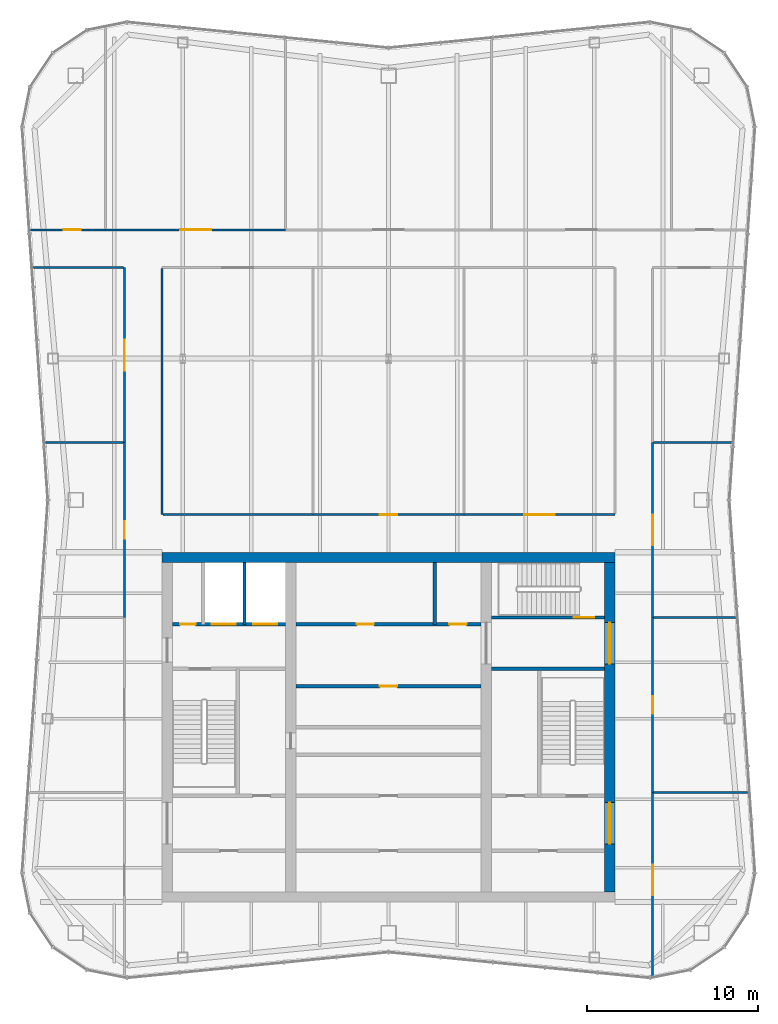
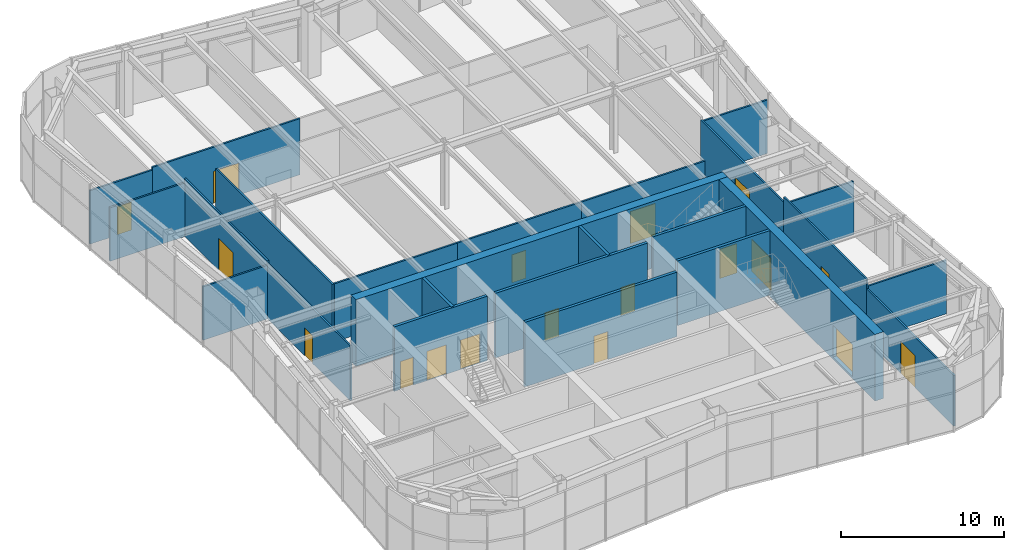
# One storey, part 10 of 13: 25 walls, 18 doors, 18 openings.
"""IFC4 building model written with IfcOpenShell, lengths in metres."""

from ifc_helpers import new_model, si_unit, direction, frame, frame_2d, origin, place, context, subcontext, project, spatial, rectangle, extrude, material, layer, layer_set, type_object, element, fill, save


model = new_model("IFC4")

# Units and contexts
model_context = context("Model", 3, precision=1e-05, world=origin(), true_north=direction((0.0, 1.0)))
body_context = subcontext(model_context, "Body", "Model", "MODEL_VIEW")
ifc_project = project(units=[si_unit("LENGTHUNIT", "METRE"), si_unit("AREAUNIT", "SQUARE_METRE"), si_unit("VOLUMEUNIT", "CUBIC_METRE"), si_unit("PLANEANGLEUNIT", "RADIAN"), si_unit("MASSUNIT", "GRAM", prefix="KILO")], contexts=[model_context])

# Site, building, storey
site_placement = place(None, origin())
site = spatial("IfcSite", under=ifc_project, at=site_placement, CompositionType="ELEMENT")
building_placement = place(site_placement, origin())
building = spatial("IfcBuilding", under=site, at=building_placement, Name="Verdant Reach Tower", CompositionType="ELEMENT")
storey_placement = place(building_placement, frame((0.0, 0.0, 349.5)))
storey = spatial("IfcBuildingStorey", under=building, at=storey_placement, Name="L79 Plant", CompositionType="ELEMENT", Elevation=349.5)

# Wall, opening, door
ifc_material_1 = material(Name="Gypsum board on steel studs", Category="steel")
ifc_layer_1 = layer(ifc_material_1, 0.199951171875)
ifc_layer_set_1 = layer_set([ifc_layer_1], Name="CO-WALL-ROOM")
wall_type_1 = type_object("IfcWallType", Name="CO-WALL-ROOM", PredefinedType="PARTITIONING", material=ifc_layer_set_1)
wall_1_placement = place(storey_placement, frame((-5.39990234375, 30.39990234375, 0.0), z_axis=(0.0, 0.0, 1.0), x_axis=(1.0, 0.0, 0.0)))
wall_1 = element("IfcWall", 1, at=wall_1_placement, inside=storey, type_object=wall_type_1, Name="Core partition, L79 Plant", PredefinedType="PARTITIONING", context=body_context, shape_type="SweptSolid", body=[
    extrude(rectangle(XDim=10.7998046875, YDim=0.199951171875, at=frame_2d((5.39990234375, 0.0))), origin(), (0.0, 0.0, 1.0), 4.85009765625),
])
opening_1_placement = place(wall_1_placement, frame((4.89990234375, 0.0, 0.0)))
opening_1 = element("IfcOpeningElement", 2, at=opening_1_placement, cuts=wall_1, Name="Opening CD", PredefinedType="OPENING", context=body_context, shape_type="SweptSolid", body=[
    extrude(rectangle(XDim=1.0, YDim=2.10009765625, at=frame_2d((0.5, 1.050048828125))), frame((0.0, 0.10986328125, 0.0), z_axis=(0.0, -1.0, 0.0), x_axis=(1.0, 0.0, 0.0)), (0.0, 0.0, 1.0), 0.219970703125),
])
ifc_material_2 = material(Name="Timber", Category="wood")
door_type_1 = type_object("IfcDoorType", Name="CO-DOOR-ROOM", OperationType="NOTDEFINED", PredefinedType="DOOR", material=ifc_material_2)
door_1_placement = place(opening_1_placement, origin())
door_1 = element("IfcDoor", 3, at=door_1_placement, inside=storey, type_object=door_type_1, Name="Core room door, L79 Plant", OperationType="SINGLE_SWING_LEFT", OverallHeight=2.10009765625, OverallWidth=1.0, PredefinedType="DOOR", context=body_context, shape_type="SweptSolid", body=[
    extrude(rectangle(XDim=1.0, YDim=2.10009765625, at=frame_2d((0.5, 1.050048828125))), frame((0.0, 0.02490234375, 0.0), z_axis=(0.0, -1.0, 0.0), x_axis=(1.0, 0.0, 0.0)), (0.0, 0.0, 1.0), 0.050048828125),
])
fill(opening_1, door_1)

# Wall, openings, doors
wall_2_placement = place(storey_placement, frame((-5.39990234375, 34.0, 0.0), z_axis=(0.0, 0.0, 1.0), x_axis=(1.0, 0.0, 0.0)))
wall_2 = element("IfcWall", 4, at=wall_2_placement, inside=storey, type_object=wall_type_1, Name="Core partition, L79 Plant", PredefinedType="PARTITIONING", context=body_context, shape_type="SweptSolid", body=[
    extrude(rectangle(XDim=10.7998046875, YDim=0.199951171875, at=frame_2d((5.39990234375, 0.0))), origin(), (0.0, 0.0, 1.0), 4.85009765625),
])
opening_2_placement = place(wall_2_placement, frame((3.550048828125, 0.0, 0.0)))
opening_2 = element("IfcOpeningElement", 5, at=opening_2_placement, cuts=wall_2, Name="Opening CD", PredefinedType="OPENING", context=body_context, shape_type="SweptSolid", body=[
    extrude(rectangle(XDim=1.0, YDim=2.10009765625, at=frame_2d((0.5, 1.050048828125))), frame((0.0, 0.10986328125, 0.0), z_axis=(0.0, -1.0, 0.0), x_axis=(1.0, 0.0, 0.0)), (0.0, 0.0, 1.0), 0.219970703125),
])
opening_3_placement = place(wall_2_placement, frame((8.949951171875, 0.0, 0.0)))
opening_3 = element("IfcOpeningElement", 6, at=opening_3_placement, cuts=wall_2, Name="Opening CD", PredefinedType="OPENING", context=body_context, shape_type="SweptSolid", body=[
    extrude(rectangle(XDim=1.0, YDim=2.10009765625, at=frame_2d((0.5, 1.050048828125))), frame((0.0, 0.10986328125, 0.0), z_axis=(0.0, -1.0, 0.0), x_axis=(1.0, 0.0, 0.0)), (0.0, 0.0, 1.0), 0.219970703125),
])
door_2_placement = place(opening_2_placement, origin())
door_2 = element("IfcDoor", 7, at=door_2_placement, inside=storey, type_object=door_type_1, Name="Core room door, L79 Plant", OperationType="SINGLE_SWING_LEFT", OverallHeight=2.10009765625, OverallWidth=1.0, PredefinedType="DOOR", context=body_context, shape_type="SweptSolid", body=[
    extrude(rectangle(XDim=1.0, YDim=2.10009765625, at=frame_2d((0.5, 1.050048828125))), frame((0.0, 0.02490234375, 0.0), z_axis=(0.0, -1.0, 0.0), x_axis=(1.0, 0.0, 0.0)), (0.0, 0.0, 1.0), 0.050048828125),
])
fill(opening_2, door_2)
door_3_placement = place(opening_3_placement, origin())
door_3 = element("IfcDoor", 8, at=door_3_placement, inside=storey, type_object=door_type_1, Name="Core room door, L79 Plant", OperationType="SINGLE_SWING_LEFT", OverallHeight=2.10009765625, OverallWidth=1.0, PredefinedType="DOOR", context=body_context, shape_type="SweptSolid", body=[
    extrude(rectangle(XDim=1.0, YDim=2.10009765625, at=frame_2d((0.5, 1.050048828125))), frame((0.0, 0.02490234375, 0.0), z_axis=(0.0, -1.0, 0.0), x_axis=(1.0, 0.0, 0.0)), (0.0, 0.0, 1.0), 0.050048828125),
])
fill(opening_3, door_3)

# Wall
wall_3_placement = place(storey_placement, frame((2.699951171875, 34.0, 0.0), z_axis=(0.0, 0.0, 1.0), x_axis=(0.0, 1.0, 0.0)))
element("IfcWall", 9, at=wall_3_placement, inside=storey, type_object=wall_type_1, Name="Core partition, L79 Plant", PredefinedType="PARTITIONING", context=body_context, shape_type="SweptSolid", body=[
    extrude(rectangle(XDim=3.60009765625, YDim=0.199951171875, at=frame_2d((1.800048828125, 0.0))), origin(), (0.0, 0.0, 1.0), 4.85009765625),
])

# Wall, openings, doors
ifc_material_3 = material(Name="Concrete C40/50", Category="concrete")
ifc_layer_2 = layer(ifc_material_3, 0.199951171875)
ifc_layer_set_2 = layer_set([ifc_layer_2], Name="CO-WALL-SHAFT")
wall_type_2 = type_object("IfcWallType", Name="CO-WALL-SHAFT", PredefinedType="PARTITIONING", material=ifc_layer_set_2)
wall_4_placement = place(storey_placement, frame((-12.60009765625, 34.0, 0.0), z_axis=(0.0, 0.0, 1.0), x_axis=(1.0, 0.0, 0.0)))
wall_4 = element("IfcWall", 10, at=wall_4_placement, inside=storey, type_object=wall_type_2, Name="Lift shaft wall, L79 Plant", PredefinedType="PARTITIONING", context=body_context, shape_type="SweptSolid", body=[
    extrude(rectangle(XDim=6.60009765625, YDim=0.199951171875, at=frame_2d((3.300048828125, 0.0))), origin(), (0.0, 0.0, 1.0), 4.85009765625),
])
opening_4_placement = place(wall_4_placement, frame((4.699951171875, 0.0, 0.0)))
opening_4 = element("IfcOpeningElement", 11, at=opening_4_placement, cuts=wall_4, Name="Opening LD-F1", PredefinedType="OPENING", context=body_context, shape_type="SweptSolid", body=[
    extrude(rectangle(XDim=1.39990234375, YDim=2.199951171875, at=frame_2d((0.699951171875, 1.10009765625))), frame((0.0, 0.10986328125, 0.0), z_axis=(0.0, -1.0, 0.0), x_axis=(1.0, 0.0, 0.0)), (0.0, 0.0, 1.0), 0.219970703125),
])
opening_5_placement = place(wall_4_placement, frame((2.300048828125, 0.0, 0.0)))
opening_5 = element("IfcOpeningElement", 12, at=opening_5_placement, cuts=wall_4, Name="Opening LD-F2", PredefinedType="OPENING", context=body_context, shape_type="SweptSolid", body=[
    extrude(rectangle(XDim=1.39990234375, YDim=2.199951171875, at=frame_2d((0.699951171875, 1.10009765625))), frame((0.0, 0.10986328125, 0.0), z_axis=(0.0, -1.0, 0.0), x_axis=(1.0, 0.0, 0.0)), (0.0, 0.0, 1.0), 0.219970703125),
])
opening_6_placement = place(wall_4_placement, frame((0.449951171875, 0.0, 0.0)))
opening_6 = element("IfcOpeningElement", 13, at=opening_6_placement, cuts=wall_4, Name="Opening RD", PredefinedType="OPENING", context=body_context, shape_type="SweptSolid", body=[
    extrude(rectangle(XDim=0.89990234375, YDim=2.10009765625, at=frame_2d((0.449951171875, 1.050048828125))), frame((0.0, 0.10986328125, 0.0), z_axis=(0.0, -1.0, 0.0), x_axis=(1.0, 0.0, 0.0)), (0.0, 0.0, 1.0), 0.219970703125),
])
ifc_material_4 = material(Name="Stainless steel", Category="steel")
door_type_2 = type_object("IfcDoorType", Name="CO-DOOR-LANDING-FF", OperationType="SLIDING_TO_LEFT", PredefinedType="DOOR", material=ifc_material_4)
door_4_placement = place(opening_4_placement, origin())
door_4 = element("IfcDoor", 14, at=door_4_placement, inside=storey, type_object=door_type_2, Name="Landing door F1, L79 Plant", OperationType="SLIDING_TO_LEFT", OverallHeight=2.199951171875, OverallWidth=1.39990234375, PredefinedType="DOOR", context=body_context, shape_type="SweptSolid", body=[
    extrude(rectangle(XDim=1.39990234375, YDim=2.199951171875, at=frame_2d((0.699951171875, 1.10009765625))), frame((0.0, 0.02490234375, 0.0), z_axis=(0.0, -1.0, 0.0), x_axis=(1.0, 0.0, 0.0)), (0.0, 0.0, 1.0), 0.050048828125),
])
fill(opening_4, door_4)
door_5_placement = place(opening_5_placement, origin())
door_5 = element("IfcDoor", 15, at=door_5_placement, inside=storey, type_object=door_type_2, Name="Landing door F2, L79 Plant", OperationType="SLIDING_TO_LEFT", OverallHeight=2.199951171875, OverallWidth=1.39990234375, PredefinedType="DOOR", context=body_context, shape_type="SweptSolid", body=[
    extrude(rectangle(XDim=1.39990234375, YDim=2.199951171875, at=frame_2d((0.699951171875, 1.10009765625))), frame((0.0, 0.02490234375, 0.0), z_axis=(0.0, -1.0, 0.0), x_axis=(1.0, 0.0, 0.0)), (0.0, 0.0, 1.0), 0.050048828125),
])
fill(opening_5, door_5)
ifc_material_5 = material(Name="Steel", Category="steel")
door_type_3 = type_object("IfcDoorType", Name="CO-DOOR-RISER", OperationType="NOTDEFINED", PredefinedType="DOOR", material=ifc_material_5)
door_6_placement = place(opening_6_placement, origin())
door_6 = element("IfcDoor", 16, at=door_6_placement, inside=storey, type_object=door_type_3, Name="Core room door, L79 Plant", OperationType="SINGLE_SWING_LEFT", OverallHeight=2.10009765625, OverallWidth=0.89990234375, PredefinedType="DOOR", context=body_context, shape_type="SweptSolid", body=[
    extrude(rectangle(XDim=0.89990234375, YDim=2.10009765625, at=frame_2d((0.449951171875, 1.050048828125))), frame((0.0, 0.02490234375, 0.0), z_axis=(0.0, -1.0, 0.0), x_axis=(1.0, 0.0, 0.0)), (0.0, 0.0, 1.0), 0.050048828125),
])
fill(opening_6, door_6)

# Walls
wall_5_placement = place(storey_placement, frame((-8.39990234375, 34.0, 0.0), z_axis=(0.0, 0.0, 1.0), x_axis=(0.0, 1.0, 0.0)))
element("IfcWall", 17, at=wall_5_placement, inside=storey, type_object=wall_type_2, Name="Lift shaft wall, L79 Plant", PredefinedType="PARTITIONING", context=body_context, shape_type="SweptSolid", body=[
    extrude(rectangle(XDim=3.60009765625, YDim=0.199951171875, at=frame_2d((1.800048828125, 0.0))), origin(), (0.0, 0.0, 1.0), 4.85009765625),
])
ifc_layer_3 = layer(ifc_material_3, 0.199951171875)
ifc_layer_set_3 = layer_set([ifc_layer_3], Name="CO-WALL-STAIR")
wall_type_3 = type_object("IfcWallType", Name="CO-WALL-STAIR", PredefinedType="PARTITIONING", material=ifc_layer_set_3)
wall_6_placement = place(storey_placement, frame((6.0, 31.39990234375, 0.0), z_axis=(0.0, 0.0, 1.0), x_axis=(1.0, 0.0, 0.0)))
element("IfcWall", 18, at=wall_6_placement, inside=storey, type_object=wall_type_3, Name="Stair enclosure wall, L79 Plant", PredefinedType="PARTITIONING", context=body_context, shape_type="SweptSolid", body=[
    extrude(rectangle(XDim=6.60009765625, YDim=0.199951171875, at=frame_2d((3.300048828125, 0.0))), origin(), (0.0, 0.0, 1.0), 4.85009765625),
])

# Wall, opening, door
wall_7_placement = place(storey_placement, frame((6.0, 34.39990234375, 0.0), z_axis=(0.0, 0.0, 1.0), x_axis=(1.0, 0.0, 0.0)))
wall_7 = element("IfcWall", 19, at=wall_7_placement, inside=storey, type_object=wall_type_3, Name="Stair enclosure wall, L79 Plant", PredefinedType="PARTITIONING", context=body_context, shape_type="SweptSolid", body=[
    extrude(rectangle(XDim=6.60009765625, YDim=0.199951171875, at=frame_2d((3.300048828125, 0.0))), origin(), (0.0, 0.0, 1.0), 4.85009765625),
])
opening_7_placement = place(wall_7_placement, frame((4.800048828125, 0.0, 0.0)))
opening_7 = element("IfcOpeningElement", 20, at=opening_7_placement, cuts=wall_7, Name="Opening SD", PredefinedType="OPENING", context=body_context, shape_type="SweptSolid", body=[
    extrude(rectangle(XDim=1.199951171875, YDim=2.199951171875, at=frame_2d((0.60009765625, 1.10009765625))), frame((0.0, 0.10986328125, 0.0), z_axis=(0.0, -1.0, 0.0), x_axis=(1.0, 0.0, 0.0)), (0.0, 0.0, 1.0), 0.219970703125),
])
door_type_4 = type_object("IfcDoorType", Name="CO-DOOR-STAIR", OperationType="NOTDEFINED", PredefinedType="DOOR", material=ifc_material_5)
door_7_placement = place(opening_7_placement, origin())
door_7 = element("IfcDoor", 21, at=door_7_placement, inside=storey, type_object=door_type_4, Name="Stair door, L79 Plant", OperationType="SINGLE_SWING_LEFT", OverallHeight=2.199951171875, OverallWidth=1.199951171875, PredefinedType="DOOR", context=body_context, shape_type="SweptSolid", body=[
    extrude(rectangle(XDim=1.199951171875, YDim=2.199951171875, at=frame_2d((0.60009765625, 1.10009765625))), frame((0.0, 0.02490234375, 0.0), z_axis=(0.0, -1.0, 0.0), x_axis=(1.0, 0.0, 0.0)), (0.0, 0.0, 1.0), 0.050048828125),
])
fill(opening_7, door_7)

# Wall
ifc_material_6 = material(Name="Concrete C70/85", Category="concrete")
ifc_layer_4 = layer(ifc_material_6, 0.60009765625)
ifc_layer_set_4 = layer_set([ifc_layer_4], Name="ST-CORE-WALL-600")
wall_type_4 = type_object("IfcWallType", Name="ST-CORE-WALL-600", PredefinedType="SHEAR", material=ifc_layer_set_4)
wall_8_placement = place(storey_placement, frame((-13.199951171875, 37.89990234375, -0.14990234375), z_axis=(0.0, 0.0, 1.0), x_axis=(1.0, 0.0, 0.0)))
element("IfcWall", 22, at=wall_8_placement, inside=storey, type_object=wall_type_4, Name="Core wall N, L79 Plant", PredefinedType="SHEAR", context=body_context, shape_type="SweptSolid", body=[
    extrude(rectangle(XDim=26.39990234375, YDim=0.60009765625, at=frame_2d((13.199951171875, 0.0))), origin(), (0.0, 0.0, 1.0), 5.0),
])

# Wall, openings, doors
wall_9_placement = place(storey_placement, frame((12.89990234375, 18.39990234375, -0.14990234375), z_axis=(0.0, 0.0, 1.0), x_axis=(0.0, 1.0, 0.0)))
wall_9 = element("IfcWall", 23, at=wall_9_placement, inside=storey, type_object=wall_type_4, Name="Core wall E, L79 Plant", PredefinedType="SHEAR", context=body_context, shape_type="SweptSolid", body=[
    extrude(rectangle(XDim=19.2001953125, YDim=0.60009765625, at=frame_2d((9.60009765625, 0.0))), origin(), (0.0, 0.0, 1.0), 5.0),
])
opening_8_placement = place(wall_9_placement, frame((2.800048828125, 0.0, 0.14990234375)))
opening_8 = element("IfcOpeningElement", 24, at=opening_8_placement, cuts=wall_9, Name="Opening LB", PredefinedType="OPENING", context=body_context, shape_type="SweptSolid", body=[
    extrude(rectangle(XDim=2.39990234375, YDim=2.39990234375, at=frame_2d((1.199951171875, 1.199951171875))), frame((0.0, 0.31005859375, 0.0), z_axis=(0.0, -1.0, 0.0), x_axis=(1.0, 0.0, 0.0)), (0.0, 0.0, 1.0), 0.6201171875),
])
opening_9_placement = place(wall_9_placement, frame((13.300048828125, 0.0, 0.14990234375)))
opening_9 = element("IfcOpeningElement", 25, at=opening_9_placement, cuts=wall_9, Name="Opening LB", PredefinedType="OPENING", context=body_context, shape_type="SweptSolid", body=[
    extrude(rectangle(XDim=2.39990234375, YDim=2.39990234375, at=frame_2d((1.199951171875, 1.199951171875))), frame((0.0, 0.31005859375, 0.0), z_axis=(0.0, -1.0, 0.0), x_axis=(1.0, 0.0, 0.0)), (0.0, 0.0, 1.0), 0.6201171875),
])
ifc_material_7 = material(Name="Glass and steel", Category="steel")
door_type_5 = type_object("IfcDoorType", Name="CO-DOOR-LOBBY", OperationType="DOUBLE_DOOR_SINGLE_SWING", PredefinedType="DOOR", material=ifc_material_7)
door_8_placement = place(opening_8_placement, origin())
door_8 = element("IfcDoor", 26, at=door_8_placement, inside=storey, type_object=door_type_5, Name="Core entrance door, L79 Plant", OperationType="DOUBLE_DOOR_SINGLE_SWING", OverallHeight=2.39990234375, OverallWidth=2.39990234375, PredefinedType="DOOR", context=body_context, shape_type="SweptSolid", body=[
    extrude(rectangle(XDim=2.39990234375, YDim=2.39990234375, at=frame_2d((1.199951171875, 1.199951171875))), frame((0.0, 0.02490234375, 0.0), z_axis=(0.0, -1.0, 0.0), x_axis=(1.0, 0.0, 0.0)), (0.0, 0.0, 1.0), 0.050048828125),
])
fill(opening_8, door_8)
door_9_placement = place(opening_9_placement, origin())
door_9 = element("IfcDoor", 27, at=door_9_placement, inside=storey, type_object=door_type_5, Name="Core entrance door, L79 Plant", OperationType="DOUBLE_DOOR_SINGLE_SWING", OverallHeight=2.39990234375, OverallWidth=2.39990234375, PredefinedType="DOOR", context=body_context, shape_type="SweptSolid", body=[
    extrude(rectangle(XDim=2.39990234375, YDim=2.39990234375, at=frame_2d((1.199951171875, 1.199951171875))), frame((0.0, 0.02490234375, 0.0), z_axis=(0.0, -1.0, 0.0), x_axis=(1.0, 0.0, 0.0)), (0.0, 0.0, 1.0), 0.050048828125),
])
fill(opening_9, door_9)

# Walls
ifc_material_8 = material(Name="Gypsum board on steel studs, fire rated", Category="steel")
ifc_layer_5 = layer(ifc_material_8, 0.125)
ifc_layer_set_5 = layer_set([ifc_layer_5], Name="SV-W2 Plant wall 125 EI 60")
wall_type_5 = type_object("IfcWallType", Name="SV-W2 Plant wall 125 EI 60", PredefinedType="PARTITIONING", material=ifc_layer_set_5)
wall_10_placement = place(storey_placement, frame((-13.199951171875, 54.737548828125, 0.0), z_axis=(0.0, 0.0, 1.0), x_axis=(0.0, -1.0, 0.0)))
element("IfcWall", 28, at=wall_10_placement, inside=storey, type_object=wall_type_5, Name="Partition L79.02", PredefinedType="PARTITIONING", context=body_context, shape_type="SweptSolid", body=[
    extrude(rectangle(XDim=14.337646484375, YDim=0.125, at=frame_2d((7.1689453125, 0.0))), origin(), (0.0, 0.0, 1.0), 4.330078125),
])
wall_11_placement = place(storey_placement, frame((-13.137451171875, 40.39990234375, 0.0), z_axis=(0.0, 0.0, 1.0), x_axis=(1.0, 0.0, 0.0)))
element("IfcWall", 29, at=wall_11_placement, inside=storey, type_object=wall_type_5, Name="Partition L79.03", PredefinedType="PARTITIONING", context=body_context, shape_type="SweptSolid", body=[
    extrude(rectangle(XDim=8.737548828125, YDim=0.125, at=frame_2d((4.36865234375, 0.0))), origin(), (0.0, 0.0, 1.0), 4.3701171875),
])

# Wall, opening, door
wall_12_placement = place(storey_placement, frame((4.39990234375, 40.39990234375, 0.0), z_axis=(0.0, 0.0, 1.0), x_axis=(-1.0, 0.0, 0.0)))
wall_12 = element("IfcWall", 30, at=wall_12_placement, inside=storey, type_object=wall_type_5, Name="Partition L79.04", PredefinedType="PARTITIONING", context=body_context, shape_type="SweptSolid", body=[
    extrude(rectangle(XDim=8.7998046875, YDim=0.125, at=frame_2d((4.39990234375, 0.0))), origin(), (0.0, 0.0, 1.0), 4.3701171875),
])
opening_10_placement = place(wall_12_placement, frame((3.89990234375, 0.0, 0.0)))
opening_10 = element("IfcOpeningElement", 31, at=opening_10_placement, cuts=wall_12, Name="Opening SD4", PredefinedType="OPENING", context=body_context, shape_type="SweptSolid", body=[
    extrude(rectangle(XDim=1.0, YDim=2.10009765625, at=frame_2d((0.5, 1.050048828125))), frame((0.0, 0.072509765625, 0.0), z_axis=(0.0, -1.0, 0.0), x_axis=(1.0, 0.0, 0.0)), (0.0, 0.0, 1.0), 0.14501953125),
])
ifc_material_9 = material(Name="Steel door leaf, fire rated", Category="steel")
door_type_6 = type_object("IfcDoorType", Name="SV-D4 Door 1000x2100 FD120", OperationType="NOTDEFINED", PredefinedType="DOOR", material=ifc_material_9)
door_10_placement = place(opening_10_placement, origin())
door_10 = element("IfcDoor", 32, at=door_10_placement, inside=storey, type_object=door_type_6, Name="Door L79-002", OperationType="SINGLE_SWING_RIGHT", OverallHeight=2.10009765625, OverallWidth=1.0, PredefinedType="DOOR", context=body_context, shape_type="SweptSolid", body=[
    extrude(rectangle(XDim=1.0, YDim=2.10009765625, at=frame_2d((0.5, 1.050048828125))), frame((0.0, 0.02490234375, 0.0), z_axis=(0.0, -1.0, 0.0), x_axis=(1.0, 0.0, 0.0)), (0.0, 0.0, 1.0), 0.050048828125),
])
fill(opening_10, door_10)

wall_13_placement = place(storey_placement, frame((13.199951171875, 40.39990234375, 0.0), z_axis=(0.0, 0.0, 1.0), x_axis=(-1.0, 0.0, 0.0)))
wall_13 = element("IfcWall", 33, at=wall_13_placement, inside=storey, type_object=wall_type_5, Name="Partition L79.06", PredefinedType="PARTITIONING", context=body_context, shape_type="SweptSolid", body=[
    extrude(rectangle(XDim=8.800048828125, YDim=0.125, at=frame_2d((4.39990234375, 0.0))), origin(), (0.0, 0.0, 1.0), 4.3701171875),
])
opening_11_placement = place(wall_13_placement, frame((3.5, 0.0, 0.0)))
opening_11 = element("IfcOpeningElement", 34, at=opening_11_placement, cuts=wall_13, Name="Opening SD3", PredefinedType="OPENING", context=body_context, shape_type="SweptSolid", body=[
    extrude(rectangle(XDim=1.800048828125, YDim=2.39990234375, at=frame_2d((0.89990234375, 1.199951171875))), frame((0.0, 0.072509765625, 0.0), z_axis=(0.0, -1.0, 0.0), x_axis=(1.0, 0.0, 0.0)), (0.0, 0.0, 1.0), 0.14501953125),
])
ifc_material_10 = material(Name="Steel door leaves, fire rated", Category="steel")
door_type_7 = type_object("IfcDoorType", Name="SV-D3 Equipment door 1800x2400 FD60", OperationType="DOUBLE_DOOR_SINGLE_SWING", PredefinedType="DOOR", material=ifc_material_10)
door_11_placement = place(opening_11_placement, origin())
door_11 = element("IfcDoor", 35, at=door_11_placement, inside=storey, type_object=door_type_7, Name="Door L79-003", OperationType="DOUBLE_DOOR_SINGLE_SWING", OverallHeight=2.39990234375, OverallWidth=1.800048828125, PredefinedType="DOOR", context=body_context, shape_type="SweptSolid", body=[
    extrude(rectangle(XDim=1.800048828125, YDim=2.39990234375, at=frame_2d((0.89990234375, 1.199951171875))), frame((0.0, 0.02490234375, 0.0), z_axis=(0.0, -1.0, 0.0), x_axis=(1.0, 0.0, 0.0)), (0.0, 0.0, 1.0), 0.050048828125),
])
fill(opening_11, door_11)

wall_14_placement = place(storey_placement, frame((-15.39990234375, 44.60009765625, 0.0), z_axis=(0.0, 0.0, 1.0), x_axis=(0.0, -1.0, 0.0)))
wall_14 = element("IfcWall", 36, at=wall_14_placement, inside=storey, type_object=wall_type_5, Name="Partition L79.11", PredefinedType="PARTITIONING", context=body_context, shape_type="SweptSolid", body=[
    extrude(rectangle(XDim=10.2001953125, YDim=0.125, at=frame_2d((5.10009765625, 0.0))), origin(), (0.0, 0.0, 1.0), 4.1201171875),
])
opening_12_placement = place(wall_14_placement, frame((4.60009765625, 0.0, 0.0)))
opening_12 = element("IfcOpeningElement", 37, at=opening_12_placement, cuts=wall_14, Name="Opening SD4", PredefinedType="OPENING", context=body_context, shape_type="SweptSolid", body=[
    extrude(rectangle(XDim=1.0, YDim=2.10009765625, at=frame_2d((0.5, 1.050048828125))), frame((0.0, 0.072509765625, 0.0), z_axis=(0.0, -1.0, 0.0), x_axis=(1.0, 0.0, 0.0)), (0.0, 0.0, 1.0), 0.14501953125),
])
door_12_placement = place(opening_12_placement, origin())
door_12 = element("IfcDoor", 38, at=door_12_placement, inside=storey, type_object=door_type_6, Name="Door L79-006", OperationType="SINGLE_SWING_RIGHT", OverallHeight=2.10009765625, OverallWidth=1.0, PredefinedType="DOOR", context=body_context, shape_type="SweptSolid", body=[
    extrude(rectangle(XDim=1.0, YDim=2.10009765625, at=frame_2d((0.5, 1.050048828125))), frame((0.0, 0.02490234375, 0.0), z_axis=(0.0, -1.0, 0.0), x_axis=(1.0, 0.0, 0.0)), (0.0, 0.0, 1.0), 0.050048828125),
])
fill(opening_12, door_12)

wall_15_placement = place(storey_placement, frame((-15.39990234375, 54.800048828125, 0.0), z_axis=(0.0, 0.0, 1.0), x_axis=(0.0, -1.0, 0.0)))
wall_15 = element("IfcWall", 39, at=wall_15_placement, inside=storey, type_object=wall_type_5, Name="Partition L79.12", PredefinedType="PARTITIONING", context=body_context, shape_type="SweptSolid", body=[
    extrude(rectangle(XDim=10.199951171875, YDim=0.125, at=frame_2d((5.10009765625, 0.0))), origin(), (0.0, 0.0, 1.0), 4.330078125),
])
opening_13_placement = place(wall_15_placement, frame((4.199951171875, 0.0, 0.0)))
opening_13 = element("IfcOpeningElement", 40, at=opening_13_placement, cuts=wall_15, Name="Opening SD3", PredefinedType="OPENING", context=body_context, shape_type="SweptSolid", body=[
    extrude(rectangle(XDim=1.800048828125, YDim=2.39990234375, at=frame_2d((0.89990234375, 1.199951171875))), frame((0.0, 0.072509765625, 0.0), z_axis=(0.0, -1.0, 0.0), x_axis=(1.0, 0.0, 0.0)), (0.0, 0.0, 1.0), 0.14501953125),
])
door_13_placement = place(opening_13_placement, origin())
door_13 = element("IfcDoor", 41, at=door_13_placement, inside=storey, type_object=door_type_7, Name="Door L79-007", OperationType="DOUBLE_DOOR_SINGLE_SWING", OverallHeight=2.39990234375, OverallWidth=1.800048828125, PredefinedType="DOOR", context=body_context, shape_type="SweptSolid", body=[
    extrude(rectangle(XDim=1.800048828125, YDim=2.39990234375, at=frame_2d((0.89990234375, 1.199951171875))), frame((0.0, 0.02490234375, 0.0), z_axis=(0.0, -1.0, 0.0), x_axis=(1.0, 0.0, 0.0)), (0.0, 0.0, 1.0), 0.050048828125),
])
fill(opening_13, door_13)

# Wall
wall_16_placement = place(storey_placement, frame((-15.46240234375, 54.800048828125, 0.0), z_axis=(0.0, 0.0, 1.0), x_axis=(-1.0, 0.0, 0.0)))
element("IfcWall", 42, at=wall_16_placement, inside=storey, type_object=wall_type_5, Name="Partition L79.13", PredefinedType="PARTITIONING", context=body_context, shape_type="SweptSolid", body=[
    extrude(rectangle(XDim=5.302001953125, YDim=0.125, at=frame_2d((2.65087890625, 0.0))), origin(), (0.0, 0.0, 1.0), 4.02001953125),
])

# Wall, opening, door
wall_17_placement = place(storey_placement, frame((15.39990234375, 13.44970703125, 0.0), z_axis=(0.0, 0.0, 1.0), x_axis=(0.0, 1.0, 0.0)))
wall_17 = element("IfcWall", 43, at=wall_17_placement, inside=storey, type_object=wall_type_5, Name="Partition L79.14", PredefinedType="PARTITIONING", context=body_context, shape_type="SweptSolid", body=[
    extrude(rectangle(XDim=10.750244140625, YDim=0.125, at=frame_2d((5.375, 0.0))), origin(), (0.0, 0.0, 1.0), 3.81201171875),
])
opening_14_placement = place(wall_17_placement, frame((4.74462890625, 0.0, 0.0)))
opening_14 = element("IfcOpeningElement", 44, at=opening_14_placement, cuts=wall_17, Name="Opening SD3", PredefinedType="OPENING", context=body_context, shape_type="SweptSolid", body=[
    extrude(rectangle(XDim=1.800048828125, YDim=2.39990234375, at=frame_2d((0.89990234375, 1.199951171875))), frame((0.0, 0.072509765625, 0.0), z_axis=(0.0, -1.0, 0.0), x_axis=(1.0, 0.0, 0.0)), (0.0, 0.0, 1.0), 0.14501953125),
])
door_14_placement = place(opening_14_placement, origin())
door_14 = element("IfcDoor", 45, at=door_14_placement, inside=storey, type_object=door_type_7, Name="Door L79-008", OperationType="DOUBLE_DOOR_SINGLE_SWING", OverallHeight=2.39990234375, OverallWidth=1.800048828125, PredefinedType="DOOR", context=body_context, shape_type="SweptSolid", body=[
    extrude(rectangle(XDim=1.800048828125, YDim=2.39990234375, at=frame_2d((0.89990234375, 1.199951171875))), frame((0.0, 0.02490234375, 0.0), z_axis=(0.0, -1.0, 0.0), x_axis=(1.0, 0.0, 0.0)), (0.0, 0.0, 1.0), 0.050048828125),
])
fill(opening_14, door_14)

wall_18_placement = place(storey_placement, frame((15.39990234375, 24.199951171875, 0.0), z_axis=(0.0, 0.0, 1.0), x_axis=(0.0, 1.0, 0.0)))
wall_18 = element("IfcWall", 46, at=wall_18_placement, inside=storey, type_object=wall_type_5, Name="Partition L79.15", PredefinedType="PARTITIONING", context=body_context, shape_type="SweptSolid", body=[
    extrude(rectangle(XDim=10.199951171875, YDim=0.125, at=frame_2d((5.10009765625, 0.0))), origin(), (0.0, 0.0, 1.0), 4.52001953125),
])
opening_15_placement = place(wall_18_placement, frame((4.60009765625, 0.0, 0.0)))
opening_15 = element("IfcOpeningElement", 47, at=opening_15_placement, cuts=wall_18, Name="Opening SD2", PredefinedType="OPENING", context=body_context, shape_type="SweptSolid", body=[
    extrude(rectangle(XDim=1.0, YDim=2.10009765625, at=frame_2d((0.5, 1.050048828125))), frame((0.0, 0.072509765625, 0.0), z_axis=(0.0, -1.0, 0.0), x_axis=(1.0, 0.0, 0.0)), (0.0, 0.0, 1.0), 0.14501953125),
])
door_type_8 = type_object("IfcDoorType", Name="SV-D2 Door 1000x2100 FD60", OperationType="NOTDEFINED", PredefinedType="DOOR", material=ifc_material_9)
door_15_placement = place(opening_15_placement, origin())
door_15 = element("IfcDoor", 48, at=door_15_placement, inside=storey, type_object=door_type_8, Name="Door L79-009", OperationType="SINGLE_SWING_LEFT", OverallHeight=2.10009765625, OverallWidth=1.0, PredefinedType="DOOR", context=body_context, shape_type="SweptSolid", body=[
    extrude(rectangle(XDim=1.0, YDim=2.10009765625, at=frame_2d((0.5, 1.050048828125))), frame((0.0, 0.02490234375, 0.0), z_axis=(0.0, -1.0, 0.0), x_axis=(1.0, 0.0, 0.0)), (0.0, 0.0, 1.0), 0.050048828125),
])
fill(opening_15, door_15)

wall_19_placement = place(storey_placement, frame((15.39990234375, 34.39990234375, 0.0), z_axis=(0.0, 0.0, 1.0), x_axis=(0.0, 1.0, 0.0)))
wall_19 = element("IfcWall", 49, at=wall_19_placement, inside=storey, type_object=wall_type_5, Name="Partition L79.16", PredefinedType="PARTITIONING", context=body_context, shape_type="SweptSolid", body=[
    extrude(rectangle(XDim=10.2001953125, YDim=0.125, at=frame_2d((5.10009765625, 0.0))), origin(), (0.0, 0.0, 1.0), 4.1201171875),
])
opening_16_placement = place(wall_19_placement, frame((4.199951171875, 0.0, 0.0)))
opening_16 = element("IfcOpeningElement", 50, at=opening_16_placement, cuts=wall_19, Name="Opening SD3", PredefinedType="OPENING", context=body_context, shape_type="SweptSolid", body=[
    extrude(rectangle(XDim=1.800048828125, YDim=2.39990234375, at=frame_2d((0.89990234375, 1.199951171875))), frame((0.0, 0.072509765625, 0.0), z_axis=(0.0, -1.0, 0.0), x_axis=(1.0, 0.0, 0.0)), (0.0, 0.0, 1.0), 0.14501953125),
])
door_16_placement = place(opening_16_placement, origin())
door_16 = element("IfcDoor", 51, at=door_16_placement, inside=storey, type_object=door_type_7, Name="Door L79-010", OperationType="DOUBLE_DOOR_SINGLE_SWING", OverallHeight=2.39990234375, OverallWidth=1.800048828125, PredefinedType="DOOR", context=body_context, shape_type="SweptSolid", body=[
    extrude(rectangle(XDim=1.800048828125, YDim=2.39990234375, at=frame_2d((0.89990234375, 1.199951171875))), frame((0.0, 0.02490234375, 0.0), z_axis=(0.0, -1.0, 0.0), x_axis=(1.0, 0.0, 0.0)), (0.0, 0.0, 1.0), 0.050048828125),
])
fill(opening_16, door_16)

wall_20_placement = place(storey_placement, frame((-16.5, 57.0, 0.0), z_axis=(0.0, 0.0, 1.0), x_axis=(-1.0, 0.0, 0.0)))
wall_20 = element("IfcWall", 52, at=wall_20_placement, inside=storey, type_object=wall_type_5, Name="Partition L79.19", PredefinedType="PARTITIONING", context=body_context, shape_type="SweptSolid", body=[
    extrude(rectangle(XDim=4.416259765625, YDim=0.125, at=frame_2d((2.2080078125, 0.0))), origin(), (0.0, 0.0, 1.0), 4.02001953125),
])
opening_17_placement = place(wall_20_placement, frame((1.4423828125, 0.0, 0.0)))
opening_17 = element("IfcOpeningElement", 53, at=opening_17_placement, cuts=wall_20, Name="Opening SD4", PredefinedType="OPENING", context=body_context, shape_type="SweptSolid", body=[
    extrude(rectangle(XDim=1.0, YDim=2.10009765625, at=frame_2d((0.5, 1.050048828125))), frame((0.0, 0.072509765625, 0.0), z_axis=(0.0, -1.0, 0.0), x_axis=(1.0, 0.0, 0.0)), (0.0, 0.0, 1.0), 0.14501953125),
])
door_17_placement = place(opening_17_placement, origin())
door_17 = element("IfcDoor", 54, at=door_17_placement, inside=storey, type_object=door_type_6, Name="Door L79-012", OperationType="SINGLE_SWING_LEFT", OverallHeight=2.10009765625, OverallWidth=1.0, PredefinedType="DOOR", context=body_context, shape_type="SweptSolid", body=[
    extrude(rectangle(XDim=1.0, YDim=2.10009765625, at=frame_2d((0.5, 1.050048828125))), frame((0.0, 0.02490234375, 0.0), z_axis=(0.0, -1.0, 0.0), x_axis=(1.0, 0.0, 0.0)), (0.0, 0.0, 1.0), 0.050048828125),
])
fill(opening_17, door_17)

wall_21_placement = place(storey_placement, frame((-6.0, 57.0, 0.0), z_axis=(0.0, 0.0, 1.0), x_axis=(-1.0, 0.0, 0.0)))
wall_21 = element("IfcWall", 55, at=wall_21_placement, inside=storey, type_object=wall_type_5, Name="Partition L79.20", PredefinedType="PARTITIONING", context=body_context, shape_type="SweptSolid", body=[
    extrude(rectangle(XDim=10.5, YDim=0.125, at=frame_2d((5.25, 0.0))), origin(), (0.0, 0.0, 1.0), 4.219970703125),
])
opening_18_placement = place(wall_21_placement, frame((4.35009765625, 0.0, 0.0)))
opening_18 = element("IfcOpeningElement", 56, at=opening_18_placement, cuts=wall_21, Name="Opening SD3", PredefinedType="OPENING", context=body_context, shape_type="SweptSolid", body=[
    extrude(rectangle(XDim=1.800048828125, YDim=2.39990234375, at=frame_2d((0.89990234375, 1.199951171875))), frame((0.0, 0.072509765625, 0.0), z_axis=(0.0, -1.0, 0.0), x_axis=(1.0, 0.0, 0.0)), (0.0, 0.0, 1.0), 0.14501953125),
])
door_18_placement = place(opening_18_placement, origin())
door_18 = element("IfcDoor", 57, at=door_18_placement, inside=storey, type_object=door_type_7, Name="Door L79-013", OperationType="DOUBLE_DOOR_SINGLE_SWING", OverallHeight=2.39990234375, OverallWidth=1.800048828125, PredefinedType="DOOR", context=body_context, shape_type="SweptSolid", body=[
    extrude(rectangle(XDim=1.800048828125, YDim=2.39990234375, at=frame_2d((0.89990234375, 1.199951171875))), frame((0.0, 0.02490234375, 0.0), z_axis=(0.0, -1.0, 0.0), x_axis=(1.0, 0.0, 0.0)), (0.0, 0.0, 1.0), 0.050048828125),
])
fill(opening_18, door_18)

# Walls
wall_22_placement = place(storey_placement, frame((-20.06103515625, 44.60009765625, 0.0), z_axis=(0.0, 0.0, 1.0), x_axis=(1.0, 0.0, 0.0)))
element("IfcWall", 58, at=wall_22_placement, inside=storey, type_object=wall_type_5, Name="Partition L79.28", PredefinedType="PARTITIONING", context=body_context, shape_type="SweptSolid", body=[
    extrude(rectangle(XDim=4.5986328125, YDim=0.125, at=frame_2d((2.29931640625, 0.0))), origin(), (0.0, 0.0, 1.0), 4.02001953125),
])
wall_23_placement = place(storey_placement, frame((15.46240234375, 24.199951171875, 0.0), z_axis=(0.0, 0.0, 1.0), x_axis=(1.0, 0.0, 0.0)))
element("IfcWall", 59, at=wall_23_placement, inside=storey, type_object=wall_type_5, Name="Partition L79.29", PredefinedType="PARTITIONING", context=body_context, shape_type="SweptSolid", body=[
    extrude(rectangle(XDim=5.54345703125, YDim=0.125, at=frame_2d((2.771728515625, 0.0))), origin(), (0.0, 0.0, 1.0), 4.02001953125),
])
wall_24_placement = place(storey_placement, frame((15.46240234375, 34.39990234375, 0.0), z_axis=(0.0, 0.0, 1.0), x_axis=(1.0, 0.0, 0.0)))
element("IfcWall", 60, at=wall_24_placement, inside=storey, type_object=wall_type_5, Name="Partition L79.30", PredefinedType="PARTITIONING", context=body_context, shape_type="SweptSolid", body=[
    extrude(rectangle(XDim=4.840087890625, YDim=0.125, at=frame_2d((2.419921875, 0.0))), origin(), (0.0, 0.0, 1.0), 4.02001953125),
])
wall_25_placement = place(storey_placement, frame((15.46240234375, 44.60009765625, 0.0), z_axis=(0.0, 0.0, 1.0), x_axis=(1.0, 0.0, 0.0)))
element("IfcWall", 61, at=wall_25_placement, inside=storey, type_object=wall_type_5, Name="Partition L79.31", PredefinedType="PARTITIONING", context=body_context, shape_type="SweptSolid", body=[
    extrude(rectangle(XDim=4.5986328125, YDim=0.125, at=frame_2d((2.29931640625, 0.0))), origin(), (0.0, 0.0, 1.0), 4.02001953125),
])

save(model, "model.ifc")
